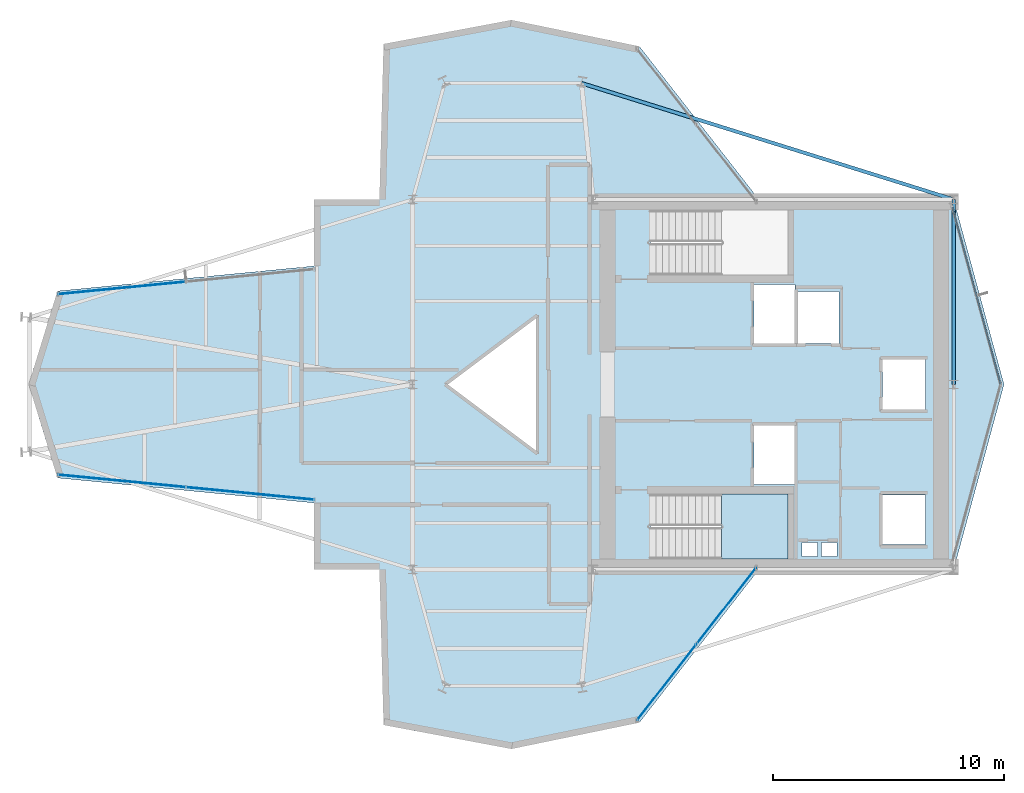
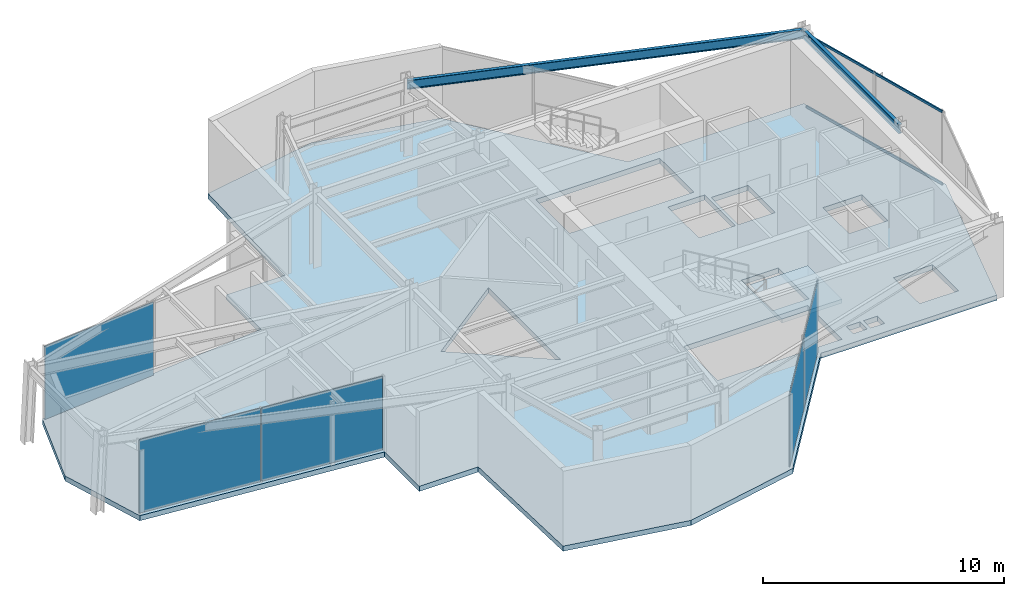
# One storey, part 15 of 20: 5 plates, 2 beams, 2 members, 2 slabs, 5 elements without a shape of their own.
"""IFC4 building model written with IfcOpenShell, lengths in metres."""

from ifc_helpers import new_model, si_unit, direction, frame, origin, origin_2d, place, context, subcontext, project, spatial, polyline, rectangle, hollow_rectangle, i_section, outline, extrude, material, layer, layer_set, material_profile, profile_set, type_object, element, aggregate, save


model = new_model("IFC4")

# Units and contexts
model_context = context("Model", 3, precision=1e-05, world=origin(), true_north=direction((0.0, 1.0)))
body_context = subcontext(model_context, "Body", "Model", "MODEL_VIEW")
ifc_project = project(units=[si_unit("LENGTHUNIT", "METRE"), si_unit("AREAUNIT", "SQUARE_METRE"), si_unit("VOLUMEUNIT", "CUBIC_METRE"), si_unit("PLANEANGLEUNIT", "RADIAN"), si_unit("MASSUNIT", "GRAM", prefix="KILO")], contexts=[model_context])

# Site, building, storey
site_placement = place(None, origin())
site = spatial("IfcSite", under=ifc_project, at=site_placement, CompositionType="ELEMENT")
building_placement = place(site_placement, origin())
building = spatial("IfcBuilding", under=site, at=building_placement, Name="Veymaron Broadcast Tower", CompositionType="ELEMENT")
storey_placement = place(building_placement, frame((0.0, 0.0, 248.550048828125)))
storey = spatial("IfcBuildingStorey", under=building, at=storey_placement, Name="L58", CompositionType="ELEMENT", Elevation=248.550048828125)

# Beams
ifc_material_1 = material(Name="Structural steel ASTM A992 Gr 50", Category="steel")
ifc_material_profile_1 = material_profile(ifc_material_1, i_section(OverallWidth=0.154052734375, OverallDepth=0.458984375, WebThickness=0.009033203125, FlangeThickness=0.015380859375, at=origin_2d()), Name="W460X68")
ifc_profile_set_1 = profile_set([ifc_material_profile_1], Name="Structural steel ASTM A992 Gr 50")
beam_type = type_object("IfcBeamType", Name="BM-SP2", PredefinedType="SPANDREL", material=ifc_profile_set_1)
beam_1_placement = place(storey_placement, frame((54.60009765625, 24.0, 3.560546875), z_axis=(0.0, 1.0, 0.0), x_axis=(-1.0, 0.0, 0.0)))
element("IfcBeam", 1, at=beam_1_placement, inside=storey, type_object=beam_type, Name="L58 primary structural floor girder", PredefinedType="SPANDREL", context=body_context, shape_type="SweptSolid", body=[
    extrude(i_section(OverallWidth=0.154052734375, OverallDepth=0.458984375, WebThickness=0.009033203125, FlangeThickness=0.015380859375, at=origin_2d()), origin(), (0.0, 0.0, 1.0), 8.0),
])
beam_2_placement = place(storey_placement, frame((54.60009765625, 32.0, 3.560546875), z_axis=(-0.954475340844, 0.298289831742, 0.0), x_axis=(-0.298289831742, -0.954475340844, 0.0)))
element("IfcBeam", 2, at=beam_2_placement, inside=storey, type_object=beam_type, Name="L58 primary structural floor girder", PredefinedType="SPANDREL", context=body_context, shape_type="SweptSolid", body=[
    extrude(i_section(OverallWidth=0.154052734375, OverallDepth=0.458984375, WebThickness=0.009033203125, FlangeThickness=0.015380859375, at=origin_2d()), origin(), (0.0, 0.0, 1.0), 16.86279296875),
])

# Curtain wall, members
ifc_material_2 = material(Name="Anodised aluminium AA 6063-T6 and laminated low-E dark glass", Category="aluminium")
ifc_layer_1 = layer(ifc_material_2, 0.179931640625)
ifc_layer_set_1 = layer_set([ifc_layer_1], Name="Anodised aluminium AA 6063-T6 and laminated low-E dark glass")
curtain_wall_type = type_object("IfcCurtainWallType", Name="CW-SYS-05", PredefinedType="NOTDEFINED", material=ifc_layer_set_1)
curtain_wall_1_placement = place(storey_placement, origin())
curtain_wall_1 = element("IfcCurtainWall", 3, at=curtain_wall_1_placement, inside=storey, type_object=curtain_wall_type, Name="L58 dark-glass curtain wall CW-L58-E3-1", PredefinedType="NOTDEFINED")
ifc_material_3 = material(Name="Anodised aluminium AA 6063-T6", Category="aluminium")
ifc_material_profile_2 = material_profile(ifc_material_3, hollow_rectangle(XDim=0.06005859375, YDim=0.1201171875, WallThickness=0.00390625, at=origin_2d()), Name="AL120X60X4")
ifc_profile_set_2 = profile_set([ifc_material_profile_2], Name="Anodised aluminium AA 6063-T6")
member_type = type_object("IfcMemberType", Name="CW-TRN-02", PredefinedType="USERDEFINED", material=ifc_profile_set_2)
member_1_placement = place(storey_placement, frame((56.62744140625, 24.011474609375, 0.070068359375), z_axis=(-0.262438272271, 0.964948782707, 0.0), x_axis=(-0.964948782707, -0.262438272271, 0.0)))
member_1 = element("IfcMember", 4, at=member_1_placement, type_object=member_type, Name="CW-L58-E3-1 transom B", ObjectType="TRANSOM", PredefinedType="USERDEFINED", context=body_context, shape_type="SweptSolid", body=[
    extrude(hollow_rectangle(XDim=0.06005859375, YDim=0.1201171875, WallThickness=0.00390625, at=origin_2d()), origin(), (0.0, 0.0, 1.0), 7.93994140625),
])
member_2_placement = place(storey_placement, frame((56.62744140625, 24.011474609375, 3.719970703125), z_axis=(-0.262438272271, 0.964948782707, 0.0), x_axis=(-0.964948782707, -0.262438272271, 0.0)))
member_2 = element("IfcMember", 5, at=member_2_placement, type_object=member_type, Name="CW-L58-E3-1 transom T", ObjectType="TRANSOM", PredefinedType="USERDEFINED", context=body_context, shape_type="SweptSolid", body=[
    extrude(hollow_rectangle(XDim=0.06005859375, YDim=0.1201171875, WallThickness=0.00390625, at=origin_2d()), origin(), (0.0, 0.0, 1.0), 7.93994140625),
])
aggregate(curtain_wall_1, [member_1, member_2])

# Curtain wall, plate
curtain_wall_2_placement = place(storey_placement, origin())
curtain_wall_2 = element("IfcCurtainWall", 6, at=curtain_wall_2_placement, inside=storey, type_object=curtain_wall_type, Name="L58 dark-glass curtain wall CW-L58-E11-1", PredefinedType="NOTDEFINED")
ifc_material_4 = material(Name="Double-silver solar-control dark glass IGU 32 mm", Category="glass")
ifc_layer_2 = layer(ifc_material_4, 0.031982421875)
ifc_layer_set_2 = layer_set([ifc_layer_2], Name="Double-silver solar-control dark glass IGU 32 mm")
plate_type = type_object("IfcPlateType", Name="CW-PNL-02", PredefinedType="CURTAIN_PANEL", material=ifc_layer_set_2)
plate_1_placement = place(storey_placement, frame((18.629150390625, 28.173095703125, 0.0400390625), z_axis=(0.0, 0.0, 1.0), x_axis=(-0.995288516672, -0.096957560721, 0.0)))
plate_1 = element("IfcPlate", 7, at=plate_1_placement, type_object=plate_type, Name="CW-L58-E11-1 unitised curtain panel 1", PredefinedType="CURTAIN_PANEL", context=body_context, shape_type="SweptSolid", body=[
    extrude(rectangle(XDim=5.517578125, YDim=0.031982421875, at=origin_2d()), origin(), (0.0, 0.0, 1.0), 3.7099609375),
])
aggregate(curtain_wall_2, [plate_1])

# Curtain wall, plates
curtain_wall_3_placement = place(storey_placement, origin())
curtain_wall_3 = element("IfcCurtainWall", 8, at=curtain_wall_3_placement, inside=storey, type_object=curtain_wall_type, Name="L58 dark-glass curtain wall CW-L58-E14-1", PredefinedType="NOTDEFINED")
plate_2_placement = place(storey_placement, frame((18.629150390625, 19.826904296875, 0.0400390625), z_axis=(0.0, 0.0, 1.0), x_axis=(0.995288516672, -0.096957560721, 0.0)))
plate_2 = element("IfcPlate", 9, at=plate_2_placement, type_object=plate_type, Name="CW-L58-E14-1 unitised curtain panel 0", PredefinedType="CURTAIN_PANEL", context=body_context, shape_type="SweptSolid", body=[
    extrude(rectangle(XDim=5.517578125, YDim=0.031982421875, at=origin_2d()), origin(), (0.0, 0.0, 1.0), 3.7099609375),
])
plate_3_placement = place(storey_placement, frame((24.180419921875, 19.2861328125, 0.0400390625), z_axis=(0.0, 0.0, 1.0), x_axis=(0.995288516672, -0.096957560721, 0.0)))
plate_3 = element("IfcPlate", 10, at=plate_3_placement, type_object=plate_type, Name="CW-L58-E14-1 unitised curtain panel 1", PredefinedType="CURTAIN_PANEL", context=body_context, shape_type="SweptSolid", body=[
    extrude(rectangle(XDim=5.517578125, YDim=0.031982421875, at=origin_2d()), origin(), (0.0, 0.0, 1.0), 3.7099609375),
])
aggregate(curtain_wall_3, [plate_2, plate_3])

curtain_wall_4_placement = place(storey_placement, origin())
curtain_wall_4 = element("IfcCurtainWall", 11, at=curtain_wall_4_placement, inside=storey, type_object=curtain_wall_type, Name="L58 dark-glass curtain wall CW-L58-E20-1", PredefinedType="NOTDEFINED")
plate_4_placement = place(storey_placement, frame((42.18798828125, 11.11865234375, 0.0400390625), z_axis=(0.0, 0.0, 1.0), x_axis=(0.615290065661, 0.788300789736, 0.0)))
plate_4 = element("IfcPlate", 12, at=plate_4_placement, type_object=plate_type, Name="CW-L58-E20-1 unitised curtain panel 0", PredefinedType="CURTAIN_PANEL", context=body_context, shape_type="SweptSolid", body=[
    extrude(rectangle(XDim=4.140869140625, YDim=0.031982421875, at=origin_2d()), origin(), (0.0, 0.0, 1.0), 3.7099609375),
])
plate_5_placement = place(storey_placement, frame((44.772705078125, 14.430419921875, 0.0400390625), z_axis=(0.0, 0.0, 1.0), x_axis=(0.615290065661, 0.788300789736, 0.0)))
plate_5 = element("IfcPlate", 13, at=plate_5_placement, type_object=plate_type, Name="CW-L58-E20-1 unitised curtain panel 1", PredefinedType="CURTAIN_PANEL", context=body_context, shape_type="SweptSolid", body=[
    extrude(rectangle(XDim=4.140869140625, YDim=0.031982421875, at=origin_2d()), origin(), (0.0, 0.0, 1.0), 3.7099609375),
])
aggregate(curtain_wall_4, [plate_4, plate_5])

# Slab
ifc_material_5 = material(Name="Concrete C40/50", Category="concrete")
ifc_layer_3 = layer(ifc_material_5, 0.260009765625)
ifc_layer_set_3 = layer_set([ifc_layer_3], Name="Concrete C40/50")
slab_type_1 = type_object("IfcSlabType", Name="SLAB-FS5", PredefinedType="FLOOR", material=ifc_layer_set_3)
slab_1_placement = place(storey_placement, frame((0.0, 0.0, -0.260009765625)))
element("IfcSlab", 14, at=slab_1_placement, inside=storey, type_object=slab_type_1, Name="L58 structural floor slab", PredefinedType="FLOOR", context=body_context, shape_type="SweptSolid", body=[
    extrude(outline(polyline([(46.175537109375, 16.0), (54.60009765625, 16.0), (56.775634765625, 24.0), (54.60009765625, 32.0), (46.175537109375, 32.0), (41.006103515625, 38.623291015625), (35.474853515625, 39.7626953125), (29.943603515625, 38.726806640625), (29.763916015625, 32.0), (26.9423828125, 32.0), (26.9423828125, 29.12353515625), (15.840087890625, 28.0419921875), (14.5966796875, 24.0), (15.840087890625, 19.9580078125), (26.9423828125, 18.87646484375), (26.9423828125, 16.0), (29.763916015625, 16.0), (29.943603515625, 9.273193359375), (35.474853515625, 8.2373046875), (41.006103515625, 9.376708984375), (46.175537109375, 16.0)]), holes=[polyline([(45.969970703125, 28.330078125), (47.72998046875, 28.330078125), (47.72998046875, 25.77001953125), (45.969970703125, 25.77001953125), (45.969970703125, 28.330078125)]), polyline([(45.969970703125, 22.22998046875), (47.72998046875, 22.22998046875), (47.72998046875, 19.669921875), (45.969970703125, 19.669921875), (45.969970703125, 22.22998046875)]), polyline([(47.8701171875, 28.030029296875), (49.6298828125, 28.030029296875), (49.6298828125, 25.77001953125), (47.8701171875, 25.77001953125), (47.8701171875, 28.030029296875)]), polyline([(51.52001953125, 25.080078125), (53.3798828125, 25.080078125), (53.3798828125, 22.919921875), (51.52001953125, 22.919921875), (51.52001953125, 25.080078125)]), polyline([(51.52001953125, 19.22998046875), (53.3798828125, 19.22998046875), (53.3798828125, 17.070068359375), (51.52001953125, 17.070068359375), (51.52001953125, 19.22998046875)]), polyline([(48.050048828125, 17.159912109375), (48.719970703125, 17.159912109375), (48.719970703125, 16.56005859375), (48.050048828125, 16.56005859375), (48.050048828125, 17.159912109375)]), polyline([(48.8798828125, 17.159912109375), (49.550048828125, 17.159912109375), (49.550048828125, 16.56005859375), (48.8798828125, 16.56005859375), (48.8798828125, 17.159912109375)]), polyline([(36.60009765625, 27.0), (36.60009765625, 21.0), (32.60009765625, 24.0), (36.60009765625, 27.0)]), polyline([(41.489990234375, 31.550048828125), (47.43994140625, 31.550048828125), (47.43994140625, 28.72998046875), (41.489990234375, 28.72998046875), (41.489990234375, 31.550048828125)]), polyline([(41.489990234375, 19.27001953125), (47.43994140625, 19.27001953125), (47.43994140625, 16.449951171875), (41.489990234375, 16.449951171875), (41.489990234375, 19.27001953125)])]), origin(), (0.0, 0.0, 1.0), 0.260009765625),
])

# Stair, slab
ifc_material_6 = material(Name="Concrete C50/60", Category="concrete")
stair_type = type_object("IfcStairType", Name="STAIR-CORE-2", PredefinedType="HALF_TURN_STAIR", material=ifc_material_6)
stair_placement = place(storey_placement, origin())
stair = element("IfcStair", 15, at=stair_placement, inside=storey, type_object=stair_type, Name="L58 South protected dog-leg exit stair ST2", PredefinedType="HALF_TURN_STAIR")
ifc_layer_4 = layer(ifc_material_6, 0.199951171875)
ifc_layer_set_4 = layer_set([ifc_layer_4], Name="Concrete C50/60")
slab_type_2 = type_object("IfcSlabType", Name="SLAB-STAIR-LDG", PredefinedType="LANDING", material=ifc_layer_set_4)
slab_2_placement = place(storey_placement, frame((0.0, 0.0, 1.824951171875)))
slab_2 = element("IfcSlab", 16, at=slab_2_placement, type_object=slab_type_2, Name="ST2 landing 1", PredefinedType="LANDING", context=body_context, shape_type="SweptSolid", body=[
    extrude(outline(polyline([(44.56494140625, 16.449951171875), (47.43994140625, 16.449951171875), (47.43994140625, 19.27001953125), (44.56494140625, 19.27001953125), (44.56494140625, 16.449951171875)])), origin(), (0.0, 0.0, 1.0), 0.199951171875),
])
aggregate(stair, [slab_2])

save(model, "model.ifc")
